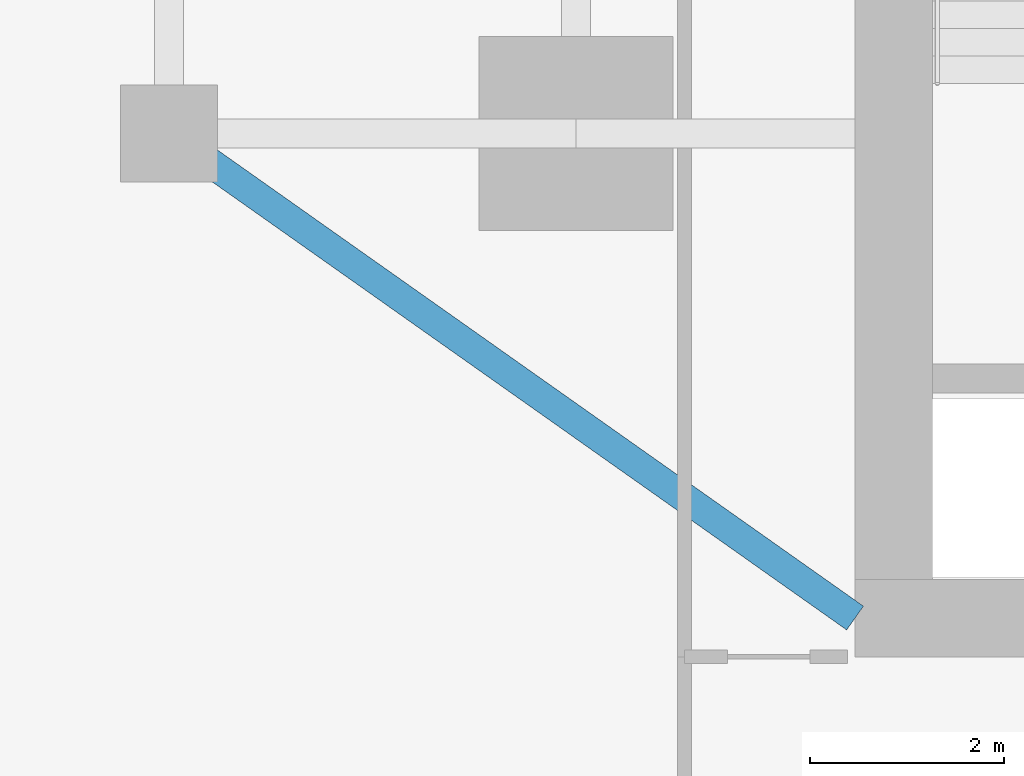
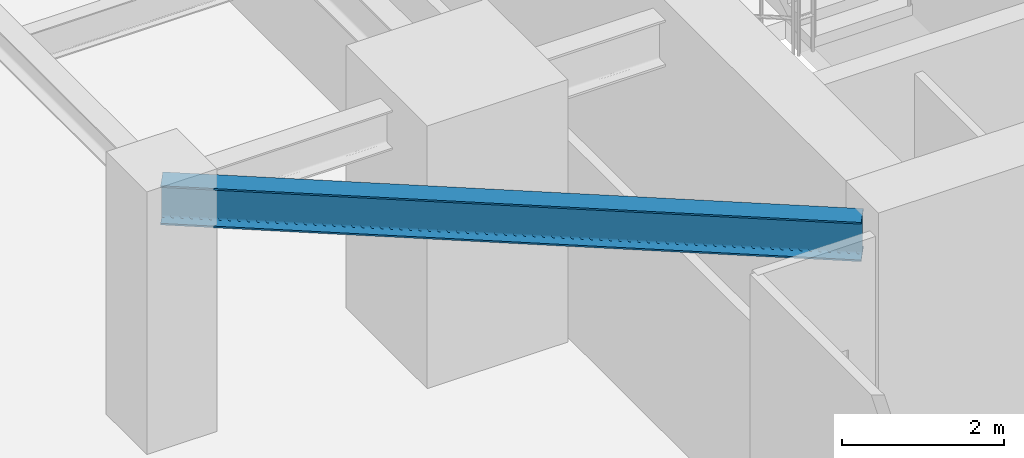
# One storey, part 5 of 27: 1 beam.
"""IFC4 building model written with IfcOpenShell, lengths in metres."""

from ifc_helpers import new_model, si_unit, direction, frame, origin, origin_2d, place, context, subcontext, project, spatial, i_section, extrude, source, transform, mapped, material, material_profile, profile_set, type_object, type_shapes, element, save


model = new_model("IFC4")

# Units and contexts
model_context = context("Model", 3, precision=1e-05, world=origin(), true_north=direction((0.0, 1.0)))
body_context = subcontext(model_context, "Body", "Model", "MODEL_VIEW")
ifc_project = project(units=[si_unit("LENGTHUNIT", "METRE"), si_unit("AREAUNIT", "SQUARE_METRE"), si_unit("VOLUMEUNIT", "CUBIC_METRE"), si_unit("PLANEANGLEUNIT", "RADIAN"), si_unit("MASSUNIT", "GRAM", prefix="KILO")], contexts=[model_context])

# Site, building, storey
site_placement = place(None, origin())
site = spatial("IfcSite", under=ifc_project, at=site_placement, CompositionType="ELEMENT")
building_placement = place(site_placement, origin())
building = spatial("IfcBuilding", under=site, at=building_placement, Name="Krantzveldt Concourse Tower", CompositionType="ELEMENT")
storey_placement = place(building_placement, frame((0.0, 0.0, 121.64990234375)))
storey = spatial("IfcBuildingStorey", under=building, at=storey_placement, Name="L29", CompositionType="ELEMENT", Elevation=121.64990234375)

# Beam
ifc_material = material(Name="Steel S355JR", Category="steel")
ifc_material_profile = material_profile(ifc_material, i_section(OverallWidth=0.300048828125, OverallDepth=0.590087890625, WebThickness=0.012939453125, FlangeThickness=0.02490234375, FilletRadius=0.027099609375, at=origin_2d()), Name="Steel S355JR", Category="steel")
ifc_profile_set = profile_set([ifc_material_profile], Name="Steel S355JR - HEA 600")
beam_type = type_object("IfcBeamType", Name="BM-B-HEA600", PredefinedType="BEAM", material=ifc_profile_set)
shared_shape = source(origin(), body_context, "Body", "SweptSolid", [
    extrude(i_section(OverallWidth=0.300048828125, OverallDepth=0.590087890625, WebThickness=0.012939453125, FlangeThickness=0.02490234375, FilletRadius=0.027099609375, at=origin_2d()), origin(), (0.0, 0.0, 1.0), 8.667724609375),
])
type_shapes(beam_type, [shared_shape])
beam_placement = place(storey_placement, frame((21.0, 15.89990234375, 3.375), z_axis=(0.81684294656, -0.576860122261, 0.0), x_axis=(0.576860122261, 0.81684294656, 0.0)))
element("IfcBeam", 1, at=beam_placement, inside=storey, type_object=beam_type, Name="L29 Tower Girder BR-CSW", PredefinedType="BEAM", context=body_context, shape_type="MappedRepresentation", body=[
    mapped(shared_shape, transform((0.0, 0.0, 0.0), x_axis=(1.0, 0.0, 0.0), y_axis=(0.0, 1.0, 0.0), z_axis=(0.0, 0.0, 1.0), scale=1.0)),
])

save(model, "model.ifc")
